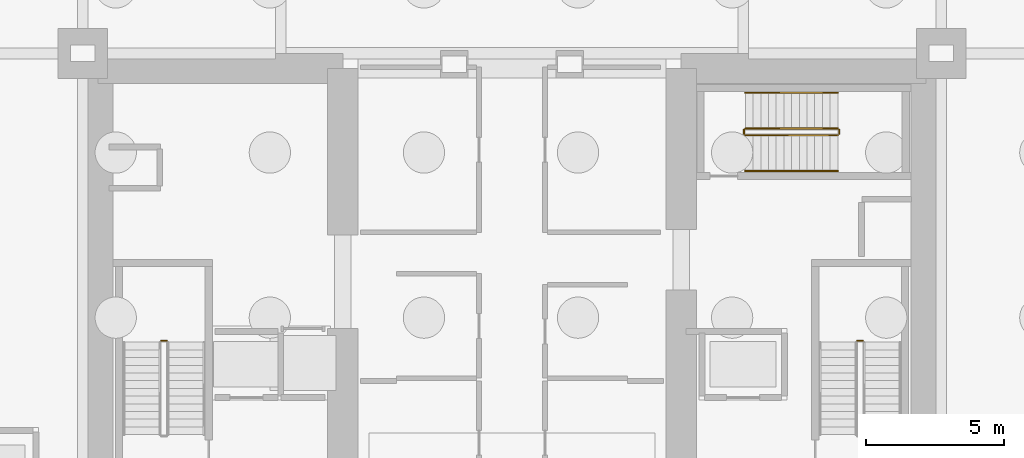
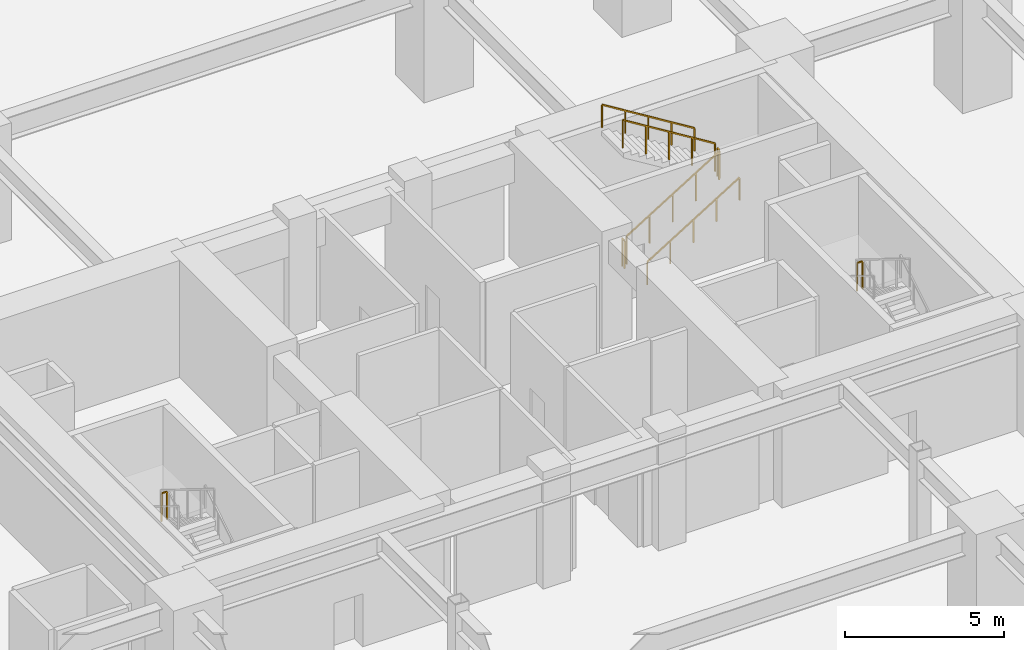
# One storey, part 19 of 23: 8 railings.
"""IFC4 building model written with IfcOpenShell, lengths in metres."""

from ifc_helpers import new_model, si_unit, direction, frame, origin, origin_2d, place, context, subcontext, project, spatial, rectangle, extrude, material, type_object, element, save


model = new_model("IFC4")

# Units and contexts
model_context = context("Model", 3, precision=1e-05, world=origin(), true_north=direction((0.0, 1.0)))
body_context = subcontext(model_context, "Body", "Model", "MODEL_VIEW")
ifc_project = project(units=[si_unit("LENGTHUNIT", "METRE"), si_unit("AREAUNIT", "SQUARE_METRE"), si_unit("VOLUMEUNIT", "CUBIC_METRE"), si_unit("PLANEANGLEUNIT", "RADIAN"), si_unit("MASSUNIT", "GRAM", prefix="KILO")], contexts=[model_context])

# Site, building, storey
site_placement = place(None, origin())
site = spatial("IfcSite", under=ifc_project, at=site_placement, CompositionType="ELEMENT")
building_placement = place(site_placement, origin())
building = spatial("IfcBuilding", under=site, at=building_placement, Name="Kiyonajd Concourse Tower", CompositionType="ELEMENT")
storey_placement = place(building_placement, frame((0.0, 0.0, -9.0)))
storey = spatial("IfcBuildingStorey", under=building, at=storey_placement, Name="B2", CompositionType="ELEMENT", Elevation=-9.0)

# Railings
ifc_material_1 = material(Name="Steel ASTM A500 Grade C", Category="steel")
railing_type_1 = type_object("IfcRailingType", Name="RL-GRD-STR", PredefinedType="GUARDRAIL", material=ifc_material_1)
for number, where, name in (
    (1, (35.449951171875, 33.9599609375, 2.25), "B2 ST1 stair guard 2"),
    (2, (60.75, 33.9599609375, 2.25), "B2 ST2 stair guard 2"),
):
    element("IfcRailing", number, at=place(storey_placement, frame(where)), inside=storey, type_object=railing_type_1, Name=name, PredefinedType="GUARDRAIL", context=body_context, shape_type="SweptSolid", body=[
        extrude(rectangle(XDim=0.048095703125, YDim=0.048095703125, at=origin_2d()), frame((0.0, 0.0, 1.076171875), z_axis=(-1.0, 0.0, 0.0), x_axis=(0.0, -1.0, 0.0)), (0.0, 0.0, 1.0), 0.199951171875),
        extrude(rectangle(XDim=0.0419921875, YDim=0.0419921875, at=origin_2d()), origin(), (0.0, 0.0, 1.0), 1.052001953125),
        extrude(rectangle(XDim=0.0419921875, YDim=0.0419921875, at=origin_2d()), frame((-0.199951171875, 0.0, 0.0)), (0.0, 0.0, 1.0), 1.052001953125),
    ])
railing_1_placement = place(storey_placement, frame((56.47998046875, 41.429931640625, 0.173095703125)))
element("IfcRailing", 3, at=railing_1_placement, inside=storey, type_object=railing_type_1, Name="B2 ST3 stair guard 1", PredefinedType="GUARDRAIL", context=body_context, shape_type="SweptSolid", body=[
    extrude(rectangle(XDim=0.048095703125, YDim=0.048095703125, at=origin_2d()), frame((0.0, 0.0, 1.076171875), z_axis=(0.850623216509, 0.0, 0.525775754039), x_axis=(0.0, 1.0, 0.0)), (0.0, 0.0, 1.0), 3.9501953125),
    extrude(rectangle(XDim=0.0419921875, YDim=0.0419921875, at=origin_2d()), origin(), (0.0, 0.0, 1.0), 1.052001953125),
    extrude(rectangle(XDim=0.0419921875, YDim=0.0419921875, at=origin_2d()), frame((0.840087890625, 0.0, 0.519287109375)), (0.0, 0.0, 1.0), 1.052001953125),
    extrude(rectangle(XDim=0.0419921875, YDim=0.0419921875, at=origin_2d()), frame((1.68017578125, 0.0, 1.03857421875)), (0.0, 0.0, 1.0), 1.052001953125),
    extrude(rectangle(XDim=0.0419921875, YDim=0.0419921875, at=origin_2d()), frame((2.52001953125, 0.0, 1.5576171875)), (0.0, 0.0, 1.0), 1.052001953125),
    extrude(rectangle(XDim=0.0419921875, YDim=0.0419921875, at=origin_2d()), frame((3.360107421875, 0.0, 2.076904296875)), (0.0, 0.0, 1.0), 1.052001953125),
])
railing_2_placement = place(storey_placement, frame((59.889892578125, 41.47998046875, 2.25)))
element("IfcRailing", 4, at=railing_2_placement, inside=storey, type_object=railing_type_1, Name="B2 ST3 stair guard 2", PredefinedType="GUARDRAIL", context=body_context, shape_type="SweptSolid", body=[
    extrude(rectangle(XDim=0.048095703125, YDim=0.048095703125, at=origin_2d()), frame((0.0, 0.0, 1.076171875), z_axis=(0.0, 1.0, 0.0), x_axis=(-1.0, 0.0, 0.0)), (0.0, 0.0, 1.0), 0.14013671875),
    extrude(rectangle(XDim=0.0419921875, YDim=0.0419921875, at=origin_2d()), origin(), (0.0, 0.0, 1.0), 1.052001953125),
    extrude(rectangle(XDim=0.0419921875, YDim=0.0419921875, at=origin_2d()), frame((0.0, 0.14013671875, 0.0)), (0.0, 0.0, 1.0), 1.052001953125),
])
railing_3_placement = place(storey_placement, frame((59.840087890625, 41.669921875, 2.423095703125)))
element("IfcRailing", 5, at=railing_3_placement, inside=storey, type_object=railing_type_1, Name="B2 ST3 stair guard 3", PredefinedType="GUARDRAIL", context=body_context, shape_type="SweptSolid", body=[
    extrude(rectangle(XDim=0.048095703125, YDim=0.048095703125, at=origin_2d()), frame((0.0, 0.0, 1.076171875), z_axis=(-0.850623216509, 0.0, 0.525775754039), x_axis=(0.0, -1.0, 0.0)), (0.0, 0.0, 1.0), 3.9501953125),
    extrude(rectangle(XDim=0.0419921875, YDim=0.0419921875, at=origin_2d()), origin(), (0.0, 0.0, 1.0), 1.052001953125),
    extrude(rectangle(XDim=0.0419921875, YDim=0.0419921875, at=origin_2d()), frame((-0.840087890625, 0.0, 0.519287109375)), (0.0, 0.0, 1.0), 1.052001953125),
    extrude(rectangle(XDim=0.0419921875, YDim=0.0419921875, at=origin_2d()), frame((-1.68017578125, 0.0, 1.03857421875)), (0.0, 0.0, 1.0), 1.052001953125),
    extrude(rectangle(XDim=0.0419921875, YDim=0.0419921875, at=origin_2d()), frame((-2.52001953125, 0.0, 1.5576171875)), (0.0, 0.0, 1.0), 1.052001953125),
    extrude(rectangle(XDim=0.0419921875, YDim=0.0419921875, at=origin_2d()), frame((-3.360107421875, 0.0, 2.076904296875)), (0.0, 0.0, 1.0), 1.052001953125),
])
railing_4_placement = place(storey_placement, frame((56.429931640625, 41.47998046875, 0.0)))
element("IfcRailing", 6, at=railing_4_placement, inside=storey, type_object=railing_type_1, Name="B2 ST3 stair guard 4", PredefinedType="GUARDRAIL", context=body_context, shape_type="SweptSolid", body=[
    extrude(rectangle(XDim=0.048095703125, YDim=0.048095703125, at=origin_2d()), frame((0.0, 0.0, 1.076171875), z_axis=(0.0, 1.0, 0.0), x_axis=(-1.0, 0.0, 0.0)), (0.0, 0.0, 1.0), 0.14013671875),
    extrude(rectangle(XDim=0.0419921875, YDim=0.0419921875, at=origin_2d()), origin(), (0.0, 0.0, 1.0), 1.052001953125),
    extrude(rectangle(XDim=0.0419921875, YDim=0.0419921875, at=origin_2d()), frame((0.0, 0.14013671875, 0.0)), (0.0, 0.0, 1.0), 1.052001953125),
])
ifc_material_2 = material(Name="Brushed Stainless Steel Cab Assembly", Category="steel")
railing_type_2 = type_object("IfcRailingType", Name="RL-HND-900", PredefinedType="HANDRAIL", material=ifc_material_2)
railing_5_placement = place(storey_placement, frame((56.47998046875, 40.1298828125, 0.173095703125)))
element("IfcRailing", 7, at=railing_5_placement, inside=storey, type_object=railing_type_2, Name="B2 ST3 stair handrail 1", PredefinedType="HANDRAIL", context=body_context, shape_type="SweptSolid", body=[
    extrude(rectangle(XDim=0.048095703125, YDim=0.048095703125, at=origin_2d()), frame((0.0, 0.0, 0.8759765625), z_axis=(0.850623216509, 0.0, 0.525775754039), x_axis=(0.0, 1.0, 0.0)), (0.0, 0.0, 1.0), 3.9501953125),
    extrude(rectangle(XDim=0.0419921875, YDim=0.0419921875, at=origin_2d()), origin(), (0.0, 0.0, 1.0), 0.851806640625),
    extrude(rectangle(XDim=0.0419921875, YDim=0.0419921875, at=origin_2d()), frame((0.840087890625, 0.0, 0.519287109375)), (0.0, 0.0, 1.0), 0.851806640625),
    extrude(rectangle(XDim=0.0419921875, YDim=0.0419921875, at=origin_2d()), frame((1.68017578125, 0.0, 1.03857421875)), (0.0, 0.0, 1.0), 0.851806640625),
    extrude(rectangle(XDim=0.0419921875, YDim=0.0419921875, at=origin_2d()), frame((2.52001953125, 0.0, 1.5576171875)), (0.0, 0.0, 1.0), 0.851806640625),
    extrude(rectangle(XDim=0.0419921875, YDim=0.0419921875, at=origin_2d()), frame((3.360107421875, 0.0, 2.076904296875)), (0.0, 0.0, 1.0), 0.851806640625),
])
railing_6_placement = place(storey_placement, frame((59.840087890625, 42.969970703125, 2.423095703125)))
element("IfcRailing", 8, at=railing_6_placement, inside=storey, type_object=railing_type_2, Name="B2 ST3 stair handrail 2", PredefinedType="HANDRAIL", context=body_context, shape_type="SweptSolid", body=[
    extrude(rectangle(XDim=0.048095703125, YDim=0.048095703125, at=origin_2d()), frame((0.0, 0.0, 0.8759765625), z_axis=(-0.850623216509, 0.0, 0.525775754039), x_axis=(0.0, -1.0, 0.0)), (0.0, 0.0, 1.0), 3.9501953125),
    extrude(rectangle(XDim=0.0419921875, YDim=0.0419921875, at=origin_2d()), origin(), (0.0, 0.0, 1.0), 0.851806640625),
    extrude(rectangle(XDim=0.0419921875, YDim=0.0419921875, at=origin_2d()), frame((-0.840087890625, 0.0, 0.519287109375)), (0.0, 0.0, 1.0), 0.851806640625),
    extrude(rectangle(XDim=0.0419921875, YDim=0.0419921875, at=origin_2d()), frame((-1.68017578125, 0.0, 1.03857421875)), (0.0, 0.0, 1.0), 0.851806640625),
    extrude(rectangle(XDim=0.0419921875, YDim=0.0419921875, at=origin_2d()), frame((-2.52001953125, 0.0, 1.5576171875)), (0.0, 0.0, 1.0), 0.851806640625),
    extrude(rectangle(XDim=0.0419921875, YDim=0.0419921875, at=origin_2d()), frame((-3.360107421875, 0.0, 2.076904296875)), (0.0, 0.0, 1.0), 0.851806640625),
])

save(model, "model.ifc")
